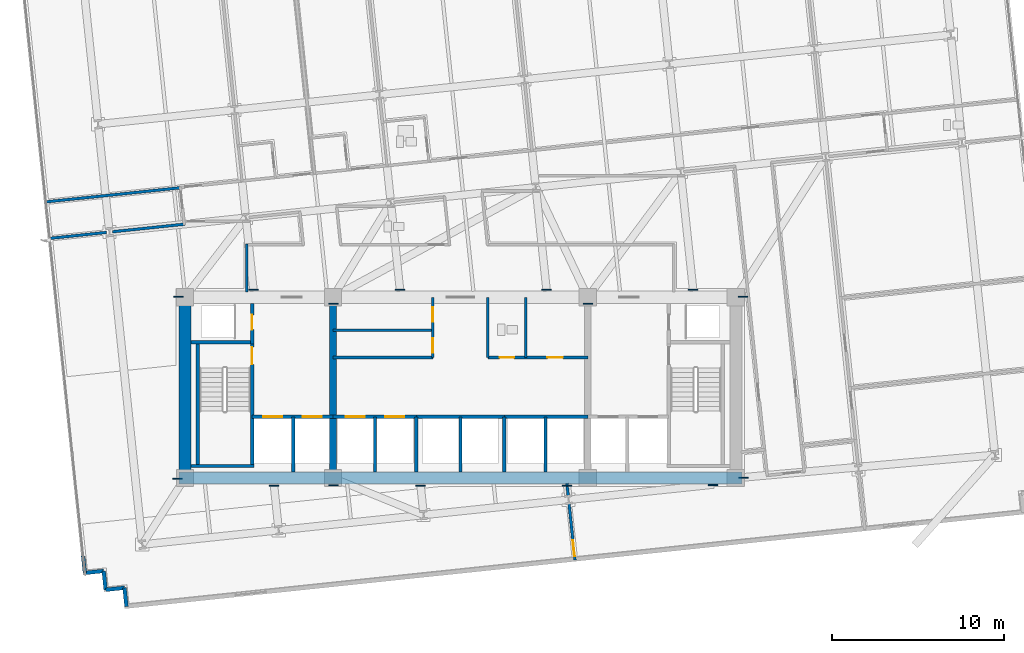
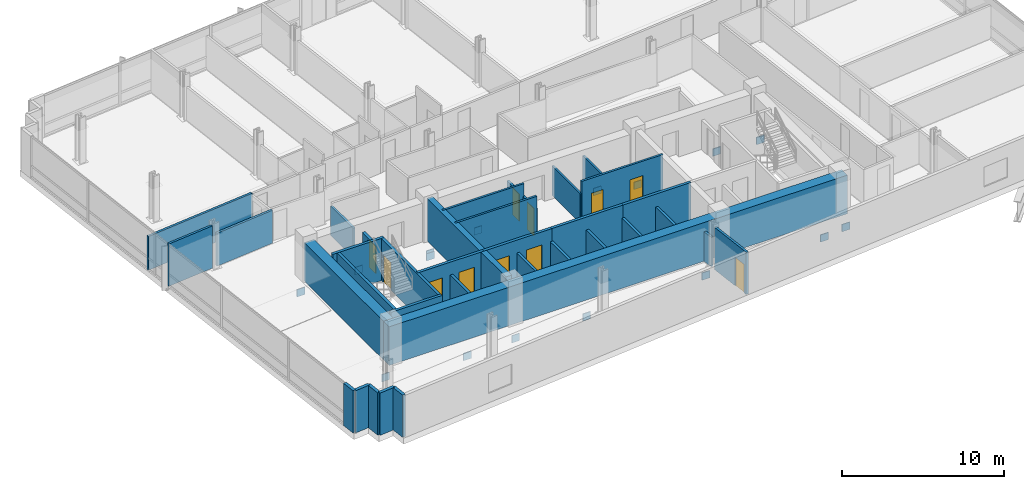
# One storey, part 10 of 18: 35 walls, 16 plates, 11 doors, 11 openings.
"""IFC4 building model written with IfcOpenShell, lengths in metres."""

from ifc_helpers import new_model, si_unit, direction, frame, frame_2d, origin, origin_2d, place, context, subcontext, project, spatial, rectangle, extrude, material, layer, layer_set, type_object, element, fill, save


model = new_model("IFC4")

# Units and contexts
model_context = context("Model", 3, precision=1e-05, world=origin(), true_north=direction((0.0, 1.0)))
body_context = subcontext(model_context, "Body", "Model", "MODEL_VIEW")
ifc_project = project(units=[si_unit("LENGTHUNIT", "METRE"), si_unit("AREAUNIT", "SQUARE_METRE"), si_unit("VOLUMEUNIT", "CUBIC_METRE"), si_unit("PLANEANGLEUNIT", "RADIAN"), si_unit("MASSUNIT", "GRAM", prefix="KILO")], contexts=[model_context])

# Site, building, storey
site_placement = place(None, origin())
site = spatial("IfcSite", under=ifc_project, at=site_placement, CompositionType="ELEMENT")
building_placement = place(site_placement, origin())
building = spatial("IfcBuilding", under=site, at=building_placement, Name="Solmavex Isthmus Hotel", CompositionType="ELEMENT")
storey_placement = place(building_placement, frame((0.0, 0.0, 80.10009765625)))
storey = spatial("IfcBuildingStorey", under=building, at=storey_placement, Name="L21", CompositionType="ELEMENT", Elevation=80.10009765625)

# Plates
ifc_material_1 = material(Name="Steel ASTM A572 Grade 50", Category="steel")
ifc_layer_1 = layer(ifc_material_1, 0.06005859375)
ifc_layer_set_1 = layer_set([ifc_layer_1], Name="Steel ASTM A572 Grade 50")
plate_type = type_object("IfcPlateType", Name="PLT-EMBED-60", PredefinedType="USERDEFINED", material=ifc_layer_set_1)
for number, where, z_axis, x_axis, name in (
    (1, (-7.38134765625, -2.869384765625, -1.30517578125), (0.0, 0.0, 1.0), (1.0, 0.0, 0.0), "Outrigger Strut Core Cast-In Embedment Stiffener Plate 037"),
    (2, (7.42138671875, -2.87109375, -1.30517578125), (0.0, 0.0, 1.0), (1.0, 0.0, 0.0), "Outrigger Strut Core Cast-In Embedment Stiffener Plate 038"),
    (3, (-7.368408203125, -2.8828125, -1.5), (0.0, 0.0, 1.0), (1.0, 0.0, 0.0), "Outrigger Strut Core Cast-In Embedment Stiffener Plate 039"),
    (4, (-16.378173828125, -2.471435546875, -1.30517578125), (0.0, 0.0, 1.0), (1.0, 0.0, 0.0), "Outrigger Strut Core Cast-In Embedment Stiffener Plate 040"),
    (5, (16.41943359375, -2.4697265625, -1.30517578125), (0.0, 0.0, 1.0), (1.0, 0.0, 0.0), "Outrigger Strut Core Cast-In Embedment Stiffener Plate 041"),
    (6, (-16.41943359375, -13.0302734375, -1.30517578125), (0.0, 0.0, 1.0), (1.0, 0.0, 0.0), "Outrigger Strut Core Cast-In Embedment Stiffener Plate 042"),
    (7, (16.435791015625, -12.996826171875, -1.5), (0.0, 0.0, 1.0), (1.0, 0.0, 0.0), "Outrigger Strut Core Cast-In Embedment Stiffener Plate 043"),
    (8, (-7.36669921875, -13.41357421875, -1.30517578125), (0.0, 0.0, 1.0), (1.0, 0.0, 0.0), "Outrigger Strut Core Cast-In Embedment Stiffener Plate 044"),
    (9, (14.671875, -13.40380859375, -1.4150390625), (0.0, 0.0, 1.0), (1.0, 0.0, 0.0), "Outrigger Strut Core Cast-In Embedment Stiffener Plate 045"),
    (10, (-10.8291015625, -13.435791015625, -1.4150390625), (0.0, 0.0, 1.0), (1.0, 0.0, 0.0), "Outrigger Strut Core Cast-In Embedment Stiffener Plate 046"),
    (11, (-12.013916015625, -2.064208984375, -1.4150390625), (0.0, 0.0, 1.0), (1.0, 0.0, 0.0), "Outrigger Strut Core Cast-In Embedment Stiffener Plate 047"),
    (12, (-2.316650390625, -13.435791015625, -1.4150390625), (0.0, 0.0, 1.0), (1.0, 0.0, 0.0), "Outrigger Strut Core Cast-In Embedment Stiffener Plate 048"),
    (13, (-3.501220703125, -2.064208984375, -1.4150390625), (0.0, 0.0, 1.0), (1.0, 0.0, 0.0), "Outrigger Strut Core Cast-In Embedment Stiffener Plate 049"),
    (14, (6.196044921875, -13.435791015625, -1.30517578125), (0.0, 0.0, 1.0), (1.0, 0.0, 0.0), "Outrigger Strut Core Cast-In Embedment Stiffener Plate 050"),
    (15, (5.011474609375, -2.064208984375, -1.4150390625), (0.0, 0.0, 1.0), (1.0, 0.0, 0.0), "Outrigger Strut Core Cast-In Embedment Stiffener Plate 051"),
    (16, (13.52392578125, -2.064208984375, -1.4150390625), (0.0, 0.0, 1.0), (1.0, 0.0, 0.0), "Outrigger Strut Core Cast-In Embedment Stiffener Plate 052"),
):
    element("IfcPlate", number, at=place(storey_placement, frame(where, z_axis=z_axis, x_axis=x_axis)), inside=storey, type_object=plate_type, Name=name, ObjectType="STIFFENER_PLATE", PredefinedType="USERDEFINED", context=body_context, shape_type="SweptSolid", body=[
        extrude(rectangle(XDim=0.550048828125, YDim=0.06005859375, at=origin_2d()), origin(), (0.0, 0.0, 1.0), 0.550048828125),
    ])

# Walls
ifc_material_2 = material(Name="Precast Concrete C40/50", Category="concrete")
ifc_layer_2 = layer(ifc_material_2, 0.25)
ifc_layer_set_2 = layer_set([ifc_layer_2], Name="Precast Concrete C40/50")
wall_type_1 = type_object("IfcWallType", Name="EW-TWR-250", PredefinedType="STANDARD", material=ifc_layer_set_2)
for number, where, z_axis, x_axis, name in (
    (17, (-19.3935546875, -20.469970703125, 0.0), (0.0, 0.0, 1.0), (-0.104534592565, 0.994521251134, 0.0), "Serrated Corner Facade Panel L21-01"),
    (18, (-19.508544921875, -19.3759765625, 0.0), (0.0, 0.0, 1.0), (-0.994521251134, -0.104534592565, 0.0), "Serrated Corner Facade Panel L21-02"),
    (19, (-20.6025390625, -19.490966796875, 0.0), (0.0, 0.0, 1.0), (-0.104534592565, 0.994521251134, 0.0), "Serrated Corner Facade Panel L21-03"),
    (20, (-20.717529296875, -18.39697265625, 0.0), (0.0, 0.0, 1.0), (-0.994521251134, -0.104534592565, 0.0), "Serrated Corner Facade Panel L21-04"),
):
    element("IfcWall", number, at=place(storey_placement, frame(where, z_axis=z_axis, x_axis=x_axis)), inside=storey, type_object=wall_type_1, Name=name, PredefinedType="STANDARD", context=body_context, shape_type="SweptSolid", body=[
        extrude(rectangle(XDim=1.10009765625, YDim=0.219970703125, at=frame_2d((0.550048828125, 0.0))), origin(), (0.0, 0.0, 1.0), 3.18994140625),
    ])
wall_1_placement = place(storey_placement, frame((-21.8115234375, -18.511962890625, 0.0), z_axis=(0.0, 0.0, 1.0), x_axis=(-0.104556418955, 0.99451895671, 0.0)))
element("IfcWall", 21, at=wall_1_placement, inside=storey, type_object=wall_type_1, Name="Serrated Corner Facade Panel L21-05", PredefinedType="STANDARD", context=body_context, shape_type="SweptSolid", body=[
    extrude(rectangle(XDim=0.989990234375, YDim=0.219970703125, at=frame_2d((0.4951171875, 0.0))), origin(), (0.0, 0.0, 1.0), 3.18994140625),
])
ifc_material_3 = material(Name="Gypsum plasterboard lining", Category="gypsum")
ifc_layer_3 = layer(ifc_material_3, 0.159912109375)
ifc_layer_set_3 = layer_set([ifc_layer_3], Name="Gypsum plasterboard lining")
wall_type_2 = type_object("IfcWallType", Name="IW-COMP-160", PredefinedType="PARTITIONING", material=ifc_layer_set_3)
wall_2_placement = place(storey_placement, frame((-16.221923828125, 3.86474609375, 0.0), z_axis=(0.0, 0.0, 1.0), x_axis=(-0.994522987852, -0.104518068455, 0.0)))
element("IfcWall", 22, at=wall_2_placement, inside=storey, type_object=wall_type_2, Name="Interior Partition Wall W-L21-P039", PredefinedType="PARTITIONING", context=body_context, shape_type="SweptSolid", body=[
    extrude(rectangle(XDim=7.927978515625, YDim=0.159912109375, at=frame_2d((3.9638671875, 0.0))), origin(), (0.0, 0.0, 1.0), 2.55322265625),
])
wall_3_placement = place(storey_placement, frame((-20.558349609375, 1.267333984375, 0.0), z_axis=(0.0, 0.0, 1.0), x_axis=(-0.99451904707, -0.10455555946, 0.0)))
element("IfcWall", 23, at=wall_3_placement, inside=storey, type_object=wall_type_2, Name="Interior Partition Wall W-L21-P061", PredefinedType="PARTITIONING", context=body_context, shape_type="SweptSolid", body=[
    extrude(rectangle(XDim=3.34375, YDim=0.159912109375, at=frame_2d((1.671875, 0.0))), origin(), (0.0, 0.0, 1.0), 3.18994140625),
])
wall_4_placement = place(storey_placement, frame((-15.9892578125, 1.74755859375, 0.0), z_axis=(0.0, 0.0, 1.0), x_axis=(-0.994523098997, -0.104517010867, 0.0)))
element("IfcWall", 24, at=wall_4_placement, inside=storey, type_object=wall_type_2, Name="Interior Partition Wall W-L21-P062", PredefinedType="PARTITIONING", context=body_context, shape_type="SweptSolid", body=[
    extrude(rectangle(XDim=4.241943359375, YDim=0.159912109375, at=frame_2d((2.12109375, 0.0))), origin(), (0.0, 0.0, 1.0), 2.4794921875),
])
wall_5_placement = place(storey_placement, frame((6.269775390625, -14.08642578125, 0.0), z_axis=(0.0, 0.0, 1.0), x_axis=(-0.104489363132, 0.994526004181, 0.0)))
element("IfcWall", 25, at=wall_5_placement, inside=storey, type_object=wall_type_2, Name="Interior Partition Wall W-L21-P072", PredefinedType="PARTITIONING", context=body_context, shape_type="SweptSolid", body=[
    extrude(rectangle(XDim=0.7802734375, YDim=0.159912109375, at=frame_2d((0.39013671875, 0.0))), origin(), (0.0, 0.0, 1.0), 2.224853515625),
])

# Wall, opening, door
wall_6_placement = place(storey_placement, frame((6.656005859375, -17.76220703125, 0.0), z_axis=(0.0, 0.0, 1.0), x_axis=(-0.10448334315, 0.994526636649, 0.0)))
wall_6 = element("IfcWall", 26, at=wall_6_placement, inside=storey, type_object=wall_type_2, Name="Interior Partition Wall W-L21-P073", PredefinedType="PARTITIONING", context=body_context, shape_type="SweptSolid", body=[
    extrude(rectangle(XDim=3.34375, YDim=0.159912109375, at=frame_2d((1.671875, 0.0))), origin(), (0.0, 0.0, 1.0), 3.18994140625),
])
opening_1_placement = place(wall_6_placement, frame((0.2099609375, 0.0, 0.0)))
opening_1 = element("IfcOpeningElement", 27, at=opening_1_placement, cuts=wall_6, Name="Opening ID-C095", PredefinedType="OPENING", context=body_context, shape_type="SweptSolid", body=[
    extrude(rectangle(XDim=0.949951171875, YDim=2.14990234375, at=frame_2d((0.47509765625, 1.074951171875))), frame((0.0, 0.08984375, 0.0), z_axis=(0.0, -1.0, 0.0), x_axis=(1.0, 0.0, 0.0)), (0.0, 0.0, 1.0), 0.179931640625),
])
ifc_material_4 = material(Name="Hardwood timber", Category="wood")
door_type_1 = type_object("IfcDoorType", Name="IDR-FD60-0950", OperationType="NOTDEFINED", PredefinedType="DOOR", material=ifc_material_4)
door_1_placement = place(opening_1_placement, origin())
door_1 = element("IfcDoor", 28, at=door_1_placement, inside=storey, type_object=door_type_1, Name="Corporate Briefing Office Door L21-20", OperationType="SINGLE_SWING_RIGHT", OverallHeight=2.14990234375, OverallWidth=0.949951171875, PredefinedType="DOOR", context=body_context, shape_type="SweptSolid", body=[
    extrude(rectangle(XDim=0.949951171875, YDim=2.14990234375, at=frame_2d((0.47509765625, 1.074951171875))), frame((0.0, 0.02490234375, 0.0), z_axis=(0.0, -1.0, 0.0), x_axis=(1.0, 0.0, 0.0)), (0.0, 0.0, 1.0), 0.050048828125),
])
fill(opening_1, door_1)

# Wall
ifc_layer_4 = layer(ifc_material_3, 0.14990234375)
ifc_layer_set_4 = layer_set([ifc_layer_4], Name="Gypsum plasterboard lining")
wall_type_3 = type_object("IfcWallType", Name="IW-CORR-150", PredefinedType="PARTITIONING", material=ifc_layer_set_4)
wall_7_placement = place(storey_placement, frame((-7.39990234375, -6.0, 0.0), z_axis=(0.0, 0.0, 1.0), x_axis=(1.0, 0.0, 0.0)))
element("IfcWall", 29, at=wall_7_placement, inside=storey, type_object=wall_type_3, Name="Interior Partition Wall W-L21-BOH-WS", PredefinedType="PARTITIONING", context=body_context, shape_type="SweptSolid", body=[
    extrude(rectangle(XDim=5.7998046875, YDim=0.14990234375, at=frame_2d((2.89990234375, 0.0))), origin(), (0.0, 0.0, 1.0), 3.18994140625),
])

# Wall, openings, doors
wall_8_placement = place(storey_placement, frame((-1.60009765625, -6.0, 0.0), z_axis=(0.0, 0.0, 1.0), x_axis=(0.0, 1.0, 0.0)))
wall_8 = element("IfcWall", 30, at=wall_8_placement, inside=storey, type_object=wall_type_3, Name="Interior Partition Wall W-L21-BOH-WE", PredefinedType="PARTITIONING", context=body_context, shape_type="SweptSolid", body=[
    extrude(rectangle(XDim=3.5, YDim=0.14990234375, at=frame_2d((1.75, 0.0))), origin(), (0.0, 0.0, 1.0), 2.224853515625),
])
opening_2_placement = place(wall_8_placement, frame((0.27490234375, 0.0, 0.0)))
opening_2 = element("IfcOpeningElement", 31, at=opening_2_placement, cuts=wall_8, Name="Opening ID-R085", PredefinedType="OPENING", context=body_context, shape_type="SweptSolid", body=[
    extrude(rectangle(XDim=0.85009765625, YDim=2.050048828125, at=frame_2d((0.425048828125, 1.02490234375))), frame((0.0, 0.0849609375, 0.0), z_axis=(0.0, -1.0, 0.0), x_axis=(1.0, 0.0, 0.0)), (0.0, 0.0, 1.0), 0.169921875),
])
opening_3_placement = place(wall_8_placement, frame((2.074951171875, 0.0, 0.0)))
opening_3 = element("IfcOpeningElement", 32, at=opening_3_placement, cuts=wall_8, Name="Opening ID-R085", PredefinedType="OPENING", context=body_context, shape_type="SweptSolid", body=[
    extrude(rectangle(XDim=0.85009765625, YDim=2.050048828125, at=frame_2d((0.425048828125, 1.02490234375))), frame((0.0, 0.0849609375, 0.0), z_axis=(0.0, -1.0, 0.0), x_axis=(1.0, 0.0, 0.0)), (0.0, 0.0, 1.0), 0.169921875),
])
ifc_material_5 = material(Name="Steel ASTM A500 Grade C", Category="steel")
door_type_2 = type_object("IfcDoorType", Name="IDR-FD60-0850", OperationType="NOTDEFINED", PredefinedType="DOOR", material=ifc_material_5)
door_2_placement = place(opening_2_placement, origin())
door_2 = element("IfcDoor", 33, at=door_2_placement, inside=storey, type_object=door_type_2, Name="Housekeeping Door L21", OperationType="SINGLE_SWING_LEFT", OverallHeight=2.050048828125, OverallWidth=0.85009765625, PredefinedType="DOOR", context=body_context, shape_type="SweptSolid", body=[
    extrude(rectangle(XDim=0.85009765625, YDim=2.050048828125, at=frame_2d((0.425048828125, 1.02490234375))), frame((0.0, 0.02490234375, 0.0), z_axis=(0.0, -1.0, 0.0), x_axis=(1.0, 0.0, 0.0)), (0.0, 0.0, 1.0), 0.050048828125),
])
fill(opening_2, door_2)
door_3_placement = place(opening_3_placement, origin())
door_3 = element("IfcDoor", 34, at=door_3_placement, inside=storey, type_object=door_type_2, Name="Valet Store Door L21", OperationType="SINGLE_SWING_RIGHT", OverallHeight=2.050048828125, OverallWidth=0.85009765625, PredefinedType="DOOR", context=body_context, shape_type="SweptSolid", body=[
    extrude(rectangle(XDim=0.85009765625, YDim=2.050048828125, at=frame_2d((0.425048828125, 1.02490234375))), frame((0.0, 0.02490234375, 0.0), z_axis=(0.0, -1.0, 0.0), x_axis=(1.0, 0.0, 0.0)), (0.0, 0.0, 1.0), 0.050048828125),
])
fill(opening_3, door_3)

wall_9_placement = place(storey_placement, frame((1.60009765625, -6.0, 0.0), z_axis=(0.0, 0.0, 1.0), x_axis=(1.0, 0.0, 0.0)))
wall_9 = element("IfcWall", 35, at=wall_9_placement, inside=storey, type_object=wall_type_3, Name="Interior Partition Wall W-L21-BOH-ES", PredefinedType="PARTITIONING", context=body_context, shape_type="SweptSolid", body=[
    extrude(rectangle(XDim=5.7998046875, YDim=0.14990234375, at=frame_2d((2.89990234375, 0.0))), origin(), (0.0, 0.0, 1.0), 3.18994140625),
])
opening_4_placement = place(wall_9_placement, frame((0.675048828125, 0.0, 0.0)))
opening_4 = element("IfcOpeningElement", 36, at=opening_4_placement, cuts=wall_9, Name="Opening ID-R085", PredefinedType="OPENING", context=body_context, shape_type="SweptSolid", body=[
    extrude(rectangle(XDim=0.85009765625, YDim=2.050048828125, at=frame_2d((0.425048828125, 1.02490234375))), frame((0.0, 0.0849609375, 0.0), z_axis=(0.0, -1.0, 0.0), x_axis=(1.0, 0.0, 0.0)), (0.0, 0.0, 1.0), 0.169921875),
])
opening_5_placement = place(wall_9_placement, frame((3.449951171875, 0.0, 0.0)))
opening_5 = element("IfcOpeningElement", 37, at=opening_5_placement, cuts=wall_9, Name="Opening ID-C090", PredefinedType="OPENING", context=body_context, shape_type="SweptSolid", body=[
    extrude(rectangle(XDim=0.89990234375, YDim=2.10009765625, at=frame_2d((0.449951171875, 1.050048828125))), frame((0.0, 0.0849609375, 0.0), z_axis=(0.0, -1.0, 0.0), x_axis=(1.0, 0.0, 0.0)), (0.0, 0.0, 1.0), 0.169921875),
])
door_4_placement = place(opening_4_placement, frame((0.85009765625, 0.0, 0.0), z_axis=(0.0, 0.0, 1.0), x_axis=(-1.0, 0.0, 0.0)))
door_4 = element("IfcDoor", 38, at=door_4_placement, inside=storey, type_object=door_type_2, Name="Staff WC Door L21", OperationType="SINGLE_SWING_LEFT", OverallHeight=2.050048828125, OverallWidth=0.85009765625, PredefinedType="DOOR", context=body_context, shape_type="SweptSolid", body=[
    extrude(rectangle(XDim=0.85009765625, YDim=2.050048828125, at=frame_2d((0.425048828125, 1.02490234375))), frame((0.0, 0.02490234375, 0.0), z_axis=(0.0, -1.0, 0.0), x_axis=(1.0, 0.0, 0.0)), (0.0, 0.0, 1.0), 0.050048828125),
])
fill(opening_4, door_4)
door_type_3 = type_object("IfcDoorType", Name="IDR-FD60-0900", OperationType="NOTDEFINED", PredefinedType="DOOR", material=ifc_material_4)
door_5_placement = place(opening_5_placement, frame((0.89990234375, 0.0, 0.0), z_axis=(0.0, 0.0, 1.0), x_axis=(-1.0, 0.0, 0.0)))
door_5 = element("IfcDoor", 39, at=door_5_placement, inside=storey, type_object=door_type_3, Name="Room Service Door L21", OperationType="SINGLE_SWING_RIGHT", OverallHeight=2.10009765625, OverallWidth=0.89990234375, PredefinedType="DOOR", context=body_context, shape_type="SweptSolid", body=[
    extrude(rectangle(XDim=0.89990234375, YDim=2.10009765625, at=frame_2d((0.449951171875, 1.050048828125))), frame((0.0, 0.02490234375, 0.0), z_axis=(0.0, -1.0, 0.0), x_axis=(1.0, 0.0, 0.0)), (0.0, 0.0, 1.0), 0.050048828125),
])
fill(opening_5, door_5)

# Walls
wall_10_placement = place(storey_placement, frame((1.60009765625, -6.0, 0.0), z_axis=(0.0, 0.0, 1.0), x_axis=(0.0, 1.0, 0.0)))
element("IfcWall", 40, at=wall_10_placement, inside=storey, type_object=wall_type_3, Name="Interior Partition Wall W-L21-BOH-EW", PredefinedType="PARTITIONING", context=body_context, shape_type="SweptSolid", body=[
    extrude(rectangle(XDim=3.5, YDim=0.14990234375, at=frame_2d((1.75, 0.0))), origin(), (0.0, 0.0, 1.0), 2.224853515625),
])
wall_11_placement = place(storey_placement, frame((-12.39990234375, -2.18994140625, 0.0), z_axis=(0.0, 0.0, 1.0), x_axis=(0.0, 1.0, 0.0)))
element("IfcWall", 41, at=wall_11_placement, inside=storey, type_object=wall_type_3, Name="Interior Partition Wall W-L21-P029", PredefinedType="PARTITIONING", context=body_context, shape_type="SweptSolid", body=[
    extrude(rectangle(XDim=2.780029296875, YDim=0.14990234375, at=frame_2d((1.39013671875, 0.0))), origin(), (0.0, 0.0, 1.0), 2.224853515625),
])
ifc_layer_5 = layer(ifc_material_3, 0.1201171875)
ifc_layer_set_5 = layer_set([ifc_layer_5], Name="Gypsum plasterboard lining")
wall_type_4 = type_object("IfcWallType", Name="IW-PART-120", PredefinedType="PARTITIONING", material=ifc_layer_set_5)
wall_12_placement = place(storey_placement, frame((-7.39990234375, -4.425048828125, 0.0), z_axis=(0.0, 0.0, 1.0), x_axis=(1.0, 0.0, 0.0)))
element("IfcWall", 42, at=wall_12_placement, inside=storey, type_object=wall_type_4, Name="Interior Partition Wall W-L21-BOH-WH3", PredefinedType="PARTITIONING", context=body_context, shape_type="SweptSolid", body=[
    extrude(rectangle(XDim=5.7998046875, YDim=0.14990234375, at=frame_2d((2.89990234375, 0.0))), origin(), (0.0, 0.0, 1.0), 3.18994140625),
])
wall_13_placement = place(storey_placement, frame((3.800048828125, -6.0, 0.0), z_axis=(0.0, 0.0, 1.0), x_axis=(0.0, 1.0, 0.0)))
element("IfcWall", 43, at=wall_13_placement, inside=storey, type_object=wall_type_4, Name="Interior Partition Wall W-L21-BOH-EM3", PredefinedType="PARTITIONING", context=body_context, shape_type="SweptSolid", body=[
    extrude(rectangle(XDim=3.5, YDim=0.14990234375, at=frame_2d((1.75, 0.0))), origin(), (0.0, 0.0, 1.0), 2.224853515625),
])
ifc_material_6 = material(Name="Concrete C40/50", Category="concrete")
ifc_layer_6 = layer(ifc_material_6, 0.179931640625)
ifc_layer_set_6 = layer_set([ifc_layer_6], Name="Concrete C40/50")
wall_type_5 = type_object("IfcWallType", Name="IW-SHAFT-180", PredefinedType="PARTITIONING", material=ifc_layer_set_6)
for number, where, z_axis, x_axis, name in (
    (44, (-4.949951171875, -12.64990234375, 0.0), (0.0, 0.0, 1.0), (0.0, 1.0, 0.0), "Interior Partition Wall W-L21-SH-PLL-M"),
    (45, (0.0, -12.64990234375, 0.0), (0.0, 0.0, 1.0), (0.0, 1.0, 0.0), "Interior Partition Wall W-L21-SH-PLM-M"),
    (46, (4.949951171875, -12.64990234375, 0.0), (0.0, 0.0, 1.0), (0.0, 1.0, 0.0), "Interior Partition Wall W-L21-SH-PLH-M"),
):
    element("IfcWall", number, at=place(storey_placement, frame(where, z_axis=z_axis, x_axis=x_axis)), inside=storey, type_object=wall_type_5, Name=name, PredefinedType="PARTITIONING", context=body_context, shape_type="SweptSolid", body=[
        extrude(rectangle(XDim=3.199951171875, YDim=0.179931640625, at=frame_2d((1.60009765625, 0.0))), origin(), (0.0, 0.0, 1.0), 2.224853515625),
    ])

# Wall, opening, door
ifc_layer_7 = layer(ifc_material_6, 0.199951171875)
ifc_layer_set_7 = layer_set([ifc_layer_7], Name="Concrete C40/50")
wall_type_6 = type_object("IfcWallType", Name="IW-SHAFT-200", PredefinedType="PARTITIONING", material=ifc_layer_set_7)
wall_14_placement = place(storey_placement, frame((-12.10009765625, -5.199951171875, 0.0), z_axis=(0.0, 0.0, 1.0), x_axis=(0.0, 1.0, 0.0)))
wall_14 = element("IfcWall", 47, at=wall_14_placement, inside=storey, type_object=wall_type_6, Name="Interior Partition Wall W-L21-RSW-E", PredefinedType="PARTITIONING", context=body_context, shape_type="SweptSolid", body=[
    extrude(rectangle(XDim=2.349853515625, YDim=0.199951171875, at=frame_2d((1.1748046875, 0.0))), origin(), (0.0, 0.0, 1.0), 2.224853515625),
])
opening_6_placement = place(wall_14_placement, frame((0.824951171875, 0.0, 0.0)))
opening_6 = element("IfcOpeningElement", 48, at=opening_6_placement, cuts=wall_14, Name="Opening ID-R085", PredefinedType="OPENING", context=body_context, shape_type="SweptSolid", body=[
    extrude(rectangle(XDim=0.85009765625, YDim=2.050048828125, at=frame_2d((0.425048828125, 1.02490234375))), frame((0.0, 0.10986328125, 0.0), z_axis=(0.0, -1.0, 0.0), x_axis=(1.0, 0.0, 0.0)), (0.0, 0.0, 1.0), 0.219970703125),
])
door_6_placement = place(opening_6_placement, origin())
door_6 = element("IfcDoor", 49, at=door_6_placement, inside=storey, type_object=door_type_2, Name="Electrical Riser Door L21", OperationType="SINGLE_SWING_RIGHT", OverallHeight=2.050048828125, OverallWidth=0.85009765625, PredefinedType="DOOR", context=body_context, shape_type="SweptSolid", body=[
    extrude(rectangle(XDim=0.85009765625, YDim=2.050048828125, at=frame_2d((0.425048828125, 1.02490234375))), frame((0.0, 0.02490234375, 0.0), z_axis=(0.0, -1.0, 0.0), x_axis=(1.0, 0.0, 0.0)), (0.0, 0.0, 1.0), 0.050048828125),
])
fill(opening_6, door_6)

# Wall, openings, doors
wall_15_placement = place(storey_placement, frame((-12.10009765625, -9.449951171875, 0.0), z_axis=(0.0, 0.0, 1.0), x_axis=(1.0, 0.0, 0.0)))
wall_15 = element("IfcWall", 50, at=wall_15_placement, inside=storey, type_object=wall_type_6, Name="Interior Partition Wall W-L21-FFLW-S", PredefinedType="PARTITIONING", context=body_context, shape_type="SweptSolid", body=[
    extrude(rectangle(XDim=4.7001953125, YDim=0.199951171875, at=frame_2d((2.35009765625, 0.0))), origin(), (0.0, 0.0, 1.0), 3.18994140625),
])
opening_7_placement = place(wall_15_placement, frame((0.64990234375, 0.0, 0.0)))
opening_7 = element("IfcOpeningElement", 51, at=opening_7_placement, cuts=wall_15, Name="Opening LD-FF", PredefinedType="OPENING", context=body_context, shape_type="SweptSolid", body=[
    extrude(rectangle(XDim=1.10009765625, YDim=2.199951171875, at=frame_2d((0.550048828125, 1.10009765625))), frame((0.0, 0.10986328125, 0.0), z_axis=(0.0, -1.0, 0.0), x_axis=(1.0, 0.0, 0.0)), (0.0, 0.0, 1.0), 0.219970703125),
])
opening_8_placement = place(wall_15_placement, frame((2.949951171875, 0.0, 0.0)))
opening_8 = element("IfcOpeningElement", 52, at=opening_8_placement, cuts=wall_15, Name="Opening LD-SV", PredefinedType="OPENING", context=body_context, shape_type="SweptSolid", body=[
    extrude(rectangle(XDim=1.10009765625, YDim=2.199951171875, at=frame_2d((0.550048828125, 1.10009765625))), frame((0.0, 0.10986328125, 0.0), z_axis=(0.0, -1.0, 0.0), x_axis=(1.0, 0.0, 0.0)), (0.0, 0.0, 1.0), 0.219970703125),
])
ifc_material_7 = material(Name="Stainless steel 316", Category="steel")
door_type_4 = type_object("IfcDoorType", Name="LDR-FF-1100", OperationType="NOTDEFINED", PredefinedType="DOOR", material=ifc_material_7)
door_7_placement = place(opening_7_placement, origin())
door_7 = element("IfcDoor", 53, at=door_7_placement, inside=storey, type_object=door_type_4, Name="Lift Landing Door FFL-1 L21", OperationType="SLIDING_TO_LEFT", OverallHeight=2.199951171875, OverallWidth=1.10009765625, PredefinedType="DOOR", context=body_context, shape_type="SweptSolid", body=[
    extrude(rectangle(XDim=1.10009765625, YDim=2.199951171875, at=frame_2d((0.550048828125, 1.10009765625))), frame((0.0, 0.02490234375, 0.0), z_axis=(0.0, -1.0, 0.0), x_axis=(1.0, 0.0, 0.0)), (0.0, 0.0, 1.0), 0.050048828125),
])
fill(opening_7, door_7)
door_type_5 = type_object("IfcDoorType", Name="LDR-SV-1100", OperationType="NOTDEFINED", PredefinedType="DOOR", material=ifc_material_7)
door_8_placement = place(opening_8_placement, origin())
door_8 = element("IfcDoor", 54, at=door_8_placement, inside=storey, type_object=door_type_5, Name="Lift Landing Door SVL-1 L21", OperationType="SLIDING_TO_RIGHT", OverallHeight=2.199951171875, OverallWidth=1.10009765625, PredefinedType="DOOR", context=body_context, shape_type="SweptSolid", body=[
    extrude(rectangle(XDim=1.10009765625, YDim=2.199951171875, at=frame_2d((0.550048828125, 1.10009765625))), frame((0.0, 0.02490234375, 0.0), z_axis=(0.0, -1.0, 0.0), x_axis=(1.0, 0.0, 0.0)), (0.0, 0.0, 1.0), 0.050048828125),
])
fill(opening_8, door_8)

# Wall
wall_16_placement = place(storey_placement, frame((-9.699951171875, -12.64990234375, 0.0), z_axis=(0.0, 0.0, 1.0), x_axis=(0.0, 1.0, 0.0)))
element("IfcWall", 55, at=wall_16_placement, inside=storey, type_object=wall_type_6, Name="Interior Partition Wall W-L21-FFLW-M", PredefinedType="PARTITIONING", context=body_context, shape_type="SweptSolid", body=[
    extrude(rectangle(XDim=3.199951171875, YDim=0.199951171875, at=frame_2d((1.60009765625, 0.0))), origin(), (0.0, 0.0, 1.0), 2.224853515625),
])

# Wall, openings, doors
wall_17_placement = place(storey_placement, frame((-7.39990234375, -9.449951171875, 0.0), z_axis=(0.0, 0.0, 1.0), x_axis=(1.0, 0.0, 0.0)))
wall_17 = element("IfcWall", 56, at=wall_17_placement, inside=storey, type_object=wall_type_6, Name="Interior Partition Wall W-L21-SH-PLL", PredefinedType="PARTITIONING", context=body_context, shape_type="SweptSolid", body=[
    extrude(rectangle(XDim=4.849853515625, YDim=0.199951171875, at=frame_2d((2.4248046875, 0.0))), origin(), (0.0, 0.0, 1.0), 3.18994140625),
])
opening_9_placement = place(wall_17_placement, frame((0.75, 0.0, 0.0)))
opening_9 = element("IfcOpeningElement", 57, at=opening_9_placement, cuts=wall_17, Name="Opening LD-PL", PredefinedType="OPENING", context=body_context, shape_type="SweptSolid", body=[
    extrude(rectangle(XDim=1.10009765625, YDim=2.199951171875, at=frame_2d((0.550048828125, 1.10009765625))), frame((0.0, 0.10986328125, 0.0), z_axis=(0.0, -1.0, 0.0), x_axis=(1.0, 0.0, 0.0)), (0.0, 0.0, 1.0), 0.219970703125),
])
opening_10_placement = place(wall_17_placement, frame((3.050048828125, 0.0, 0.0)))
opening_10 = element("IfcOpeningElement", 58, at=opening_10_placement, cuts=wall_17, Name="Opening LD-PL", PredefinedType="OPENING", context=body_context, shape_type="SweptSolid", body=[
    extrude(rectangle(XDim=1.10009765625, YDim=2.199951171875, at=frame_2d((0.550048828125, 1.10009765625))), frame((0.0, 0.10986328125, 0.0), z_axis=(0.0, -1.0, 0.0), x_axis=(1.0, 0.0, 0.0)), (0.0, 0.0, 1.0), 0.219970703125),
])
door_type_6 = type_object("IfcDoorType", Name="LDR-PL-1100", OperationType="NOTDEFINED", PredefinedType="DOOR", material=ifc_material_7)
door_9_placement = place(opening_9_placement, origin())
door_9 = element("IfcDoor", 59, at=door_9_placement, inside=storey, type_object=door_type_6, Name="Lift Landing Door PLL1 L21", OperationType="SLIDING_TO_LEFT", OverallHeight=2.199951171875, OverallWidth=1.10009765625, PredefinedType="DOOR", context=body_context, shape_type="SweptSolid", body=[
    extrude(rectangle(XDim=1.10009765625, YDim=2.199951171875, at=frame_2d((0.550048828125, 1.10009765625))), frame((0.0, 0.02490234375, 0.0), z_axis=(0.0, -1.0, 0.0), x_axis=(1.0, 0.0, 0.0)), (0.0, 0.0, 1.0), 0.050048828125),
])
fill(opening_9, door_9)
door_10_placement = place(opening_10_placement, origin())
door_10 = element("IfcDoor", 60, at=door_10_placement, inside=storey, type_object=door_type_6, Name="Lift Landing Door PLL2 L21", OperationType="SLIDING_TO_LEFT", OverallHeight=2.199951171875, OverallWidth=1.10009765625, PredefinedType="DOOR", context=body_context, shape_type="SweptSolid", body=[
    extrude(rectangle(XDim=1.10009765625, YDim=2.199951171875, at=frame_2d((0.550048828125, 1.10009765625))), frame((0.0, 0.02490234375, 0.0), z_axis=(0.0, -1.0, 0.0), x_axis=(1.0, 0.0, 0.0)), (0.0, 0.0, 1.0), 0.050048828125),
])
fill(opening_10, door_10)

# Walls
wall_18_placement = place(storey_placement, frame((-2.550048828125, -12.64990234375, 0.0), z_axis=(0.0, 0.0, 1.0), x_axis=(0.0, 1.0, 0.0)))
element("IfcWall", 61, at=wall_18_placement, inside=storey, type_object=wall_type_6, Name="Interior Partition Wall W-L21-SH-PLL-E", PredefinedType="PARTITIONING", context=body_context, shape_type="SweptSolid", body=[
    extrude(rectangle(XDim=3.199951171875, YDim=0.199951171875, at=frame_2d((1.60009765625, 0.0))), origin(), (0.0, 0.0, 1.0), 2.224853515625),
])
wall_19_placement = place(storey_placement, frame((-2.550048828125, -9.449951171875, 0.0), z_axis=(0.0, 0.0, 1.0), x_axis=(1.0, 0.0, 0.0)))
element("IfcWall", 62, at=wall_19_placement, inside=storey, type_object=wall_type_6, Name="Interior Partition Wall W-L21-SH-PLM", PredefinedType="PARTITIONING", context=body_context, shape_type="SweptSolid", body=[
    extrude(rectangle(XDim=5.10009765625, YDim=0.199951171875, at=frame_2d((2.550048828125, 0.0))), origin(), (0.0, 0.0, 1.0), 3.18994140625),
])
wall_20_placement = place(storey_placement, frame((2.550048828125, -12.64990234375, 0.0), z_axis=(0.0, 0.0, 1.0), x_axis=(0.0, 1.0, 0.0)))
element("IfcWall", 63, at=wall_20_placement, inside=storey, type_object=wall_type_6, Name="Interior Partition Wall W-L21-SH-PLM-E", PredefinedType="PARTITIONING", context=body_context, shape_type="SweptSolid", body=[
    extrude(rectangle(XDim=3.199951171875, YDim=0.199951171875, at=frame_2d((1.60009765625, 0.0))), origin(), (0.0, 0.0, 1.0), 2.224853515625),
])
wall_21_placement = place(storey_placement, frame((2.550048828125, -9.449951171875, 0.0), z_axis=(0.0, 0.0, 1.0), x_axis=(1.0, 0.0, 0.0)))
element("IfcWall", 64, at=wall_21_placement, inside=storey, type_object=wall_type_6, Name="Interior Partition Wall W-L21-SH-PLH", PredefinedType="PARTITIONING", context=body_context, shape_type="SweptSolid", body=[
    extrude(rectangle(XDim=4.849853515625, YDim=0.199951171875, at=frame_2d((2.4248046875, 0.0))), origin(), (0.0, 0.0, 1.0), 3.18994140625),
])
ifc_material_8 = material(Name="Concrete C60/75", Category="concrete")
ifc_layer_8 = layer(ifc_material_8, 0.39990234375)
ifc_layer_set_8 = layer_set([ifc_layer_8], Name="Concrete C60/75")
wall_type_7 = type_object("IfcWallType", Name="WALL-CW-400M", PredefinedType="SHEAR", material=ifc_layer_set_8)
wall_22_placement = place(storey_placement, frame((-7.39990234375, -12.64990234375, 0.0), z_axis=(0.0, 0.0, 1.0), x_axis=(0.0, 1.0, 0.0)))
element("IfcWall", 65, at=wall_22_placement, inside=storey, type_object=wall_type_7, Name="Core Cross Shear Wall C1 L21", PredefinedType="SHEAR", context=body_context, shape_type="SweptSolid", body=[
    extrude(rectangle(XDim=9.7998046875, YDim=0.39990234375, at=frame_2d((4.89990234375, 0.0))), origin(), (0.0, 0.0, 1.0), 3.18994140625),
])
ifc_layer_9 = layer(ifc_material_8, 0.699951171875)
ifc_layer_set_9 = layer_set([ifc_layer_9], Name="Concrete C60/75")
wall_type_8 = type_object("IfcWallType", Name="WALL-CW-700", PredefinedType="SHEAR", material=ifc_layer_set_9)
wall_23_placement = place(storey_placement, frame((-16.35009765625, -13.0, 0.0), z_axis=(0.0, 0.0, 1.0), x_axis=(1.0, 0.0, 0.0)))
element("IfcWall", 66, at=wall_23_placement, inside=storey, type_object=wall_type_8, Name="Core Shear Wall South L21", PredefinedType="SHEAR", context=body_context, shape_type="SweptSolid", body=[
    extrude(rectangle(XDim=32.7001953125, YDim=0.699951171875, at=frame_2d((16.35009765625, 0.0))), origin(), (0.0, 0.0, 1.0), 2.909912109375),
])
wall_24_placement = place(storey_placement, frame((-16.0, -12.64990234375, 0.0), z_axis=(0.0, 0.0, 1.0), x_axis=(0.0, 1.0, 0.0)))
element("IfcWall", 67, at=wall_24_placement, inside=storey, type_object=wall_type_8, Name="Core Shear Wall West L21", PredefinedType="SHEAR", context=body_context, shape_type="SweptSolid", body=[
    extrude(rectangle(XDim=9.7998046875, YDim=0.699951171875, at=frame_2d((4.89990234375, 0.0))), origin(), (0.0, 0.0, 1.0), 2.909912109375),
])
ifc_layer_10 = layer(ifc_material_6, 0.199951171875)
ifc_layer_set_10 = layer_set([ifc_layer_10], Name="Concrete C40/50")
wall_type_9 = type_object("IfcWallType", Name="WALL-SW-200", PredefinedType="SOLIDWALL", material=ifc_layer_set_10)
for number, where, z_axis, x_axis, name in (
    (68, (-15.64990234375, -12.300048828125, 0.0), (0.0, 0.0, 1.0), (1.0, 0.0, 0.0), "Stairwell Structural Wall SW-L21-ST1-S"),
    (69, (-15.64990234375, -5.10009765625, 0.0), (0.0, 0.0, 1.0), (1.0, 0.0, 0.0), "Stairwell Structural Wall SW-L21-ST1-N"),
):
    element("IfcWall", number, at=place(storey_placement, frame(where, z_axis=z_axis, x_axis=x_axis)), inside=storey, type_object=wall_type_9, Name=name, PredefinedType="SOLIDWALL", context=body_context, shape_type="SweptSolid", body=[
        extrude(rectangle(XDim=3.64990234375, YDim=0.199951171875, at=frame_2d((1.824951171875, 0.0))), origin(), (0.0, 0.0, 1.0), 3.18994140625),
    ])
wall_25_placement = place(storey_placement, frame((-15.25, -12.199951171875, 0.0), z_axis=(0.0, 0.0, 1.0), x_axis=(0.0, 1.0, 0.0)))
element("IfcWall", 70, at=wall_25_placement, inside=storey, type_object=wall_type_9, Name="Stairwell Structural Wall SW-L21-ST1-W", PredefinedType="SOLIDWALL", context=body_context, shape_type="SweptSolid", body=[
    extrude(rectangle(XDim=7.0, YDim=0.199951171875, at=frame_2d((3.5, 0.0))), origin(), (0.0, 0.0, 1.0), 3.18994140625),
])

# Wall, opening, door
wall_26_placement = place(storey_placement, frame((-12.10009765625, -12.199951171875, 0.0), z_axis=(0.0, 0.0, 1.0), x_axis=(0.0, 1.0, 0.0)))
wall_26 = element("IfcWall", 71, at=wall_26_placement, inside=storey, type_object=wall_type_9, Name="Stairwell Structural Wall SW-L21-ST1-E", PredefinedType="SOLIDWALL", context=body_context, shape_type="SweptSolid", body=[
    extrude(rectangle(XDim=7.0, YDim=0.199951171875, at=frame_2d((3.5, 0.0))), origin(), (0.0, 0.0, 1.0), 3.18994140625),
])
opening_11_placement = place(wall_26_placement, frame((5.800048828125, 0.0, 0.0)))
opening_11 = element("IfcOpeningElement", 72, at=opening_11_placement, cuts=wall_26, Name="Opening ID-F100", PredefinedType="OPENING", context=body_context, shape_type="SweptSolid", body=[
    extrude(rectangle(XDim=1.0, YDim=2.10009765625, at=frame_2d((0.5, 1.050048828125))), frame((0.0, 0.10986328125, 0.0), z_axis=(0.0, -1.0, 0.0), x_axis=(1.0, 0.0, 0.0)), (0.0, 0.0, 1.0), 0.219970703125),
])
door_type_7 = type_object("IfcDoorType", Name="IDR-FD90-1000", OperationType="NOTDEFINED", PredefinedType="DOOR", material=ifc_material_5)
door_11_placement = place(opening_11_placement, frame((1.0, 0.0, 0.0), z_axis=(0.0, 0.0, 1.0), x_axis=(-1.0, 0.0, 0.0)))
door_11 = element("IfcDoor", 73, at=door_11_placement, inside=storey, type_object=door_type_7, Name="Stair ST-1 Fire Door L21", OperationType="SINGLE_SWING_LEFT", OverallHeight=2.10009765625, OverallWidth=1.0, PredefinedType="DOOR", context=body_context, shape_type="SweptSolid", body=[
    extrude(rectangle(XDim=1.0, YDim=2.10009765625, at=frame_2d((0.5, 1.050048828125))), frame((0.0, 0.02490234375, 0.0), z_axis=(0.0, -1.0, 0.0), x_axis=(1.0, 0.0, 0.0)), (0.0, 0.0, 1.0), 0.050048828125),
])
fill(opening_11, door_11)

save(model, "model.ifc")
